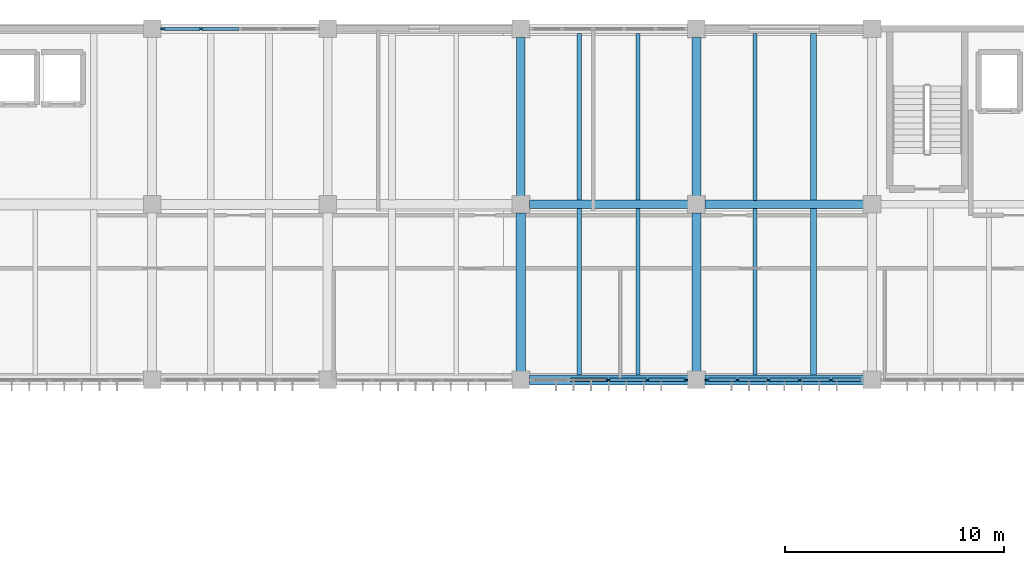
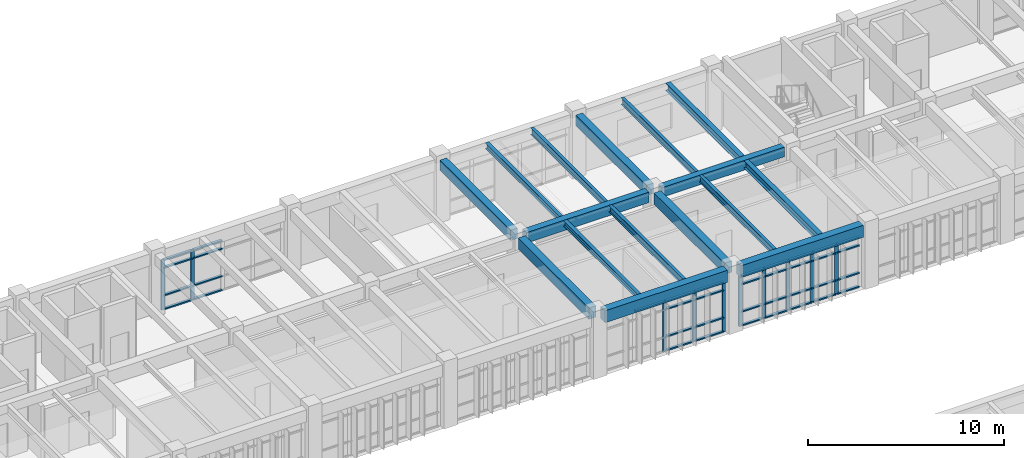
# One storey, part 19 of 67: 47 members, 16 beams, 3 elements without a shape of their own.
"""IFC4 building model written with IfcOpenShell, lengths in metres."""

from ifc_helpers import new_model, si_unit, direction, frame, origin, origin_2d, place, context, subcontext, project, spatial, rectangle, i_section, extrude, material, material_profile, profile_set, type_object, element, aggregate, save


model = new_model("IFC4")

# Units and contexts
model_context = context("Model", 3, precision=1e-05, world=origin(), true_north=direction((0.0, 1.0)))
body_context = subcontext(model_context, "Body", "Model", "MODEL_VIEW")
ifc_project = project(units=[si_unit("LENGTHUNIT", "METRE"), si_unit("AREAUNIT", "SQUARE_METRE"), si_unit("VOLUMEUNIT", "CUBIC_METRE"), si_unit("PLANEANGLEUNIT", "RADIAN"), si_unit("MASSUNIT", "GRAM", prefix="KILO")], contexts=[model_context])

# Site, building, storey
site_placement = place(None, origin())
site = spatial("IfcSite", under=ifc_project, at=site_placement, CompositionType="ELEMENT")
building_placement = place(site_placement, origin())
building = spatial("IfcBuilding", under=site, at=building_placement, Name="Tlaxcora Railside Police Headquarters", CompositionType="ELEMENT")
storey_placement = place(building_placement, frame((0.0, 0.0, 4.800048828125)))
storey = spatial("IfcBuildingStorey", under=building, at=storey_placement, Name="L01", CompositionType="ELEMENT", Elevation=4.800048828125)

# Curtain wall, members
ifc_material_1 = material(Name="Thermally broken low-E insulated glazing", Category="glass")
curtain_wall_type_1 = type_object("IfcCurtainWallType", Name="Unitised Curtain Wall Assembly CW-23", PredefinedType="NOTDEFINED", material=ifc_material_1)
curtain_wall_1_placement = place(storey_placement, origin())
curtain_wall_1 = element("IfcCurtainWall", 1, at=curtain_wall_1_placement, inside=storey, type_object=curtain_wall_type_1, Name="V5 L01 curtain wall 36", PredefinedType="NOTDEFINED")
ifc_material_2 = material(Name="Anodised aluminium framing", Category="aluminium")
ifc_material_profile_1 = material_profile(ifc_material_2, rectangle(XDim=0.080078125, YDim=0.219970703125, at=origin_2d()), Name="AL80X220")
ifc_profile_set_1 = profile_set([ifc_material_profile_1], Name="Anodised aluminium framing")
member_type_1 = type_object("IfcMemberType", Name="Curtain Wall Mullion CW-31", PredefinedType="MULLION", material=ifc_profile_set_1)
member_1_placement = place(storey_placement, frame((62.489990234375, 76.800048828125, 0.0), z_axis=(0.0, 0.0, 1.0), x_axis=(0.0, 1.0, 0.0)))
member_1 = element("IfcMember", 2, at=member_1_placement, type_object=member_type_1, Name="CW mullion 1", PredefinedType="MULLION", context=body_context, shape_type="SweptSolid", body=[
    extrude(rectangle(XDim=0.080078125, YDim=0.219970703125, at=origin_2d()), origin(), (0.0, 0.0, 1.0), 3.139892578125),
])
member_2_placement = place(storey_placement, frame((63.8701171875, 76.800048828125, 0.0), z_axis=(0.0, 0.0, 1.0), x_axis=(0.0, 1.0, 0.0)))
member_2 = element("IfcMember", 3, at=member_2_placement, type_object=member_type_1, Name="CW mullion 2", PredefinedType="MULLION", context=body_context, shape_type="SweptSolid", body=[
    extrude(rectangle(XDim=0.080078125, YDim=0.219970703125, at=origin_2d()), origin(), (0.0, 0.0, 1.0), 3.139892578125),
])
member_3_placement = place(storey_placement, frame((65.2900390625, 76.800048828125, 0.0), z_axis=(0.0, 0.0, 1.0), x_axis=(0.0, 1.0, 0.0)))
member_3 = element("IfcMember", 4, at=member_3_placement, type_object=member_type_1, Name="CW mullion 3", PredefinedType="MULLION", context=body_context, shape_type="SweptSolid", body=[
    extrude(rectangle(XDim=0.080078125, YDim=0.219970703125, at=origin_2d()), origin(), (0.0, 0.0, 1.0), 3.139892578125),
])
member_4_placement = place(storey_placement, frame((66.7099609375, 76.800048828125, 0.0), z_axis=(0.0, 0.0, 1.0), x_axis=(0.0, 1.0, 0.0)))
member_4 = element("IfcMember", 5, at=member_4_placement, type_object=member_type_1, Name="CW mullion 4", PredefinedType="MULLION", context=body_context, shape_type="SweptSolid", body=[
    extrude(rectangle(XDim=0.080078125, YDim=0.219970703125, at=origin_2d()), origin(), (0.0, 0.0, 1.0), 3.139892578125),
])
member_5_placement = place(storey_placement, frame((68.1298828125, 76.800048828125, 0.0), z_axis=(0.0, 0.0, 1.0), x_axis=(0.0, 1.0, 0.0)))
member_5 = element("IfcMember", 6, at=member_5_placement, type_object=member_type_1, Name="CW mullion 5", PredefinedType="MULLION", context=body_context, shape_type="SweptSolid", body=[
    extrude(rectangle(XDim=0.080078125, YDim=0.219970703125, at=origin_2d()), origin(), (0.0, 0.0, 1.0), 3.139892578125),
])

curtain_wall_type_2 = type_object("IfcCurtainWallType", Name="Unitised Curtain Wall Assembly CW-83", PredefinedType="NOTDEFINED", material=ifc_material_1)
curtain_wall_2_placement = place(storey_placement, origin())
curtain_wall_2 = element("IfcCurtainWall", 7, at=curtain_wall_2_placement, inside=storey, type_object=curtain_wall_type_2, Name="V5 L01 curtain wall 35", PredefinedType="NOTDEFINED")
ifc_material_profile_2 = material_profile(ifc_material_2, rectangle(XDim=0.080078125, YDim=0.2099609375, at=origin_2d()), Name="AL80X210")
ifc_profile_set_2 = profile_set([ifc_material_profile_2], Name="Anodised aluminium framing")
member_type_2 = type_object("IfcMemberType", Name="Curtain Wall Mullion CW-76", PredefinedType="MULLION", material=ifc_profile_set_2)
member_6_placement = place(storey_placement, frame((58.0, 76.800048828125, 0.0), z_axis=(0.0, 0.0, 1.0), x_axis=(0.0, 1.0, 0.0)))
member_6 = element("IfcMember", 8, at=member_6_placement, type_object=member_type_2, Name="CW mullion 3", PredefinedType="MULLION", context=body_context, shape_type="SweptSolid", body=[
    extrude(rectangle(XDim=0.080078125, YDim=0.2099609375, at=origin_2d()), origin(), (0.0, 0.0, 1.0), 3.139892578125),
])
member_7_placement = place(storey_placement, frame((59.77490234375, 76.800048828125, 0.0), z_axis=(0.0, 0.0, 1.0), x_axis=(0.0, 1.0, 0.0)))
member_7 = element("IfcMember", 9, at=member_7_placement, type_object=member_type_2, Name="CW mullion 4", PredefinedType="MULLION", context=body_context, shape_type="SweptSolid", body=[
    extrude(rectangle(XDim=0.080078125, YDim=0.2099609375, at=origin_2d()), origin(), (0.0, 0.0, 1.0), 3.139892578125),
])
member_8_placement = place(storey_placement, frame((61.510009765625, 76.800048828125, 0.0), z_axis=(0.0, 0.0, 1.0), x_axis=(0.0, 1.0, 0.0)))
member_8 = element("IfcMember", 10, at=member_8_placement, type_object=member_type_2, Name="CW mullion 5", PredefinedType="MULLION", context=body_context, shape_type="SweptSolid", body=[
    extrude(rectangle(XDim=0.080078125, YDim=0.2099609375, at=origin_2d()), origin(), (0.0, 0.0, 1.0), 3.139892578125),
])

curtain_wall_3_placement = place(storey_placement, origin())
curtain_wall_3 = element("IfcCurtainWall", 11, at=curtain_wall_3_placement, inside=storey, type_object=curtain_wall_type_2, Name="V5 L01 curtain wall 43", PredefinedType="NOTDEFINED")
member_9_placement = place(storey_placement, frame((39.425048828125, 92.800048828125, 0.0), z_axis=(0.0, 0.0, 1.0), x_axis=(0.0, -1.0, 0.0)))
member_9 = element("IfcMember", 12, at=member_9_placement, type_object=member_type_2, Name="CW mullion 4", PredefinedType="MULLION", context=body_context, shape_type="SweptSolid", body=[
    extrude(rectangle(XDim=0.080078125, YDim=0.2099609375, at=origin_2d()), origin(), (0.0, 0.0, 1.0), 3.139892578125),
])
member_10_placement = place(storey_placement, frame((37.68994140625, 92.800048828125, 0.0), z_axis=(0.0, 0.0, 1.0), x_axis=(0.0, -1.0, 0.0)))
member_10 = element("IfcMember", 13, at=member_10_placement, type_object=member_type_2, Name="CW mullion 5", PredefinedType="MULLION", context=body_context, shape_type="SweptSolid", body=[
    extrude(rectangle(XDim=0.080078125, YDim=0.2099609375, at=origin_2d()), origin(), (0.0, 0.0, 1.0), 3.139892578125),
])

# Member
ifc_material_profile_3 = material_profile(ifc_material_2, rectangle(XDim=0.1650390625, YDim=0.080078125, at=origin_2d()), Name="AL80X165")
ifc_profile_set_3 = profile_set([ifc_material_profile_3], Name="Anodised aluminium framing")
member_type_3 = type_object("IfcMemberType", Name="Curtain Wall Transom CW-62", PredefinedType="USERDEFINED", material=ifc_profile_set_3)
member_11_placement = place(storey_placement, frame((62.530029296875, 76.800048828125, 0.0400390625), z_axis=(1.0, 0.0, 0.0), x_axis=(0.0, 1.0, 0.0)))
member_11 = element("IfcMember", 14, at=member_11_placement, type_object=member_type_3, Name="CW transom 1.1", ObjectType="TRANSOM", PredefinedType="USERDEFINED", context=body_context, shape_type="SweptSolid", body=[
    extrude(rectangle(XDim=0.1650390625, YDim=0.080078125, at=origin_2d()), origin(), (0.0, 0.0, 1.0), 1.300048828125),
])

member_12_placement = place(storey_placement, frame((62.530029296875, 76.800048828125, 0.89990234375), z_axis=(1.0, 0.0, 0.0), x_axis=(0.0, 1.0, 0.0)))
member_12 = element("IfcMember", 15, at=member_12_placement, type_object=member_type_3, Name="CW transom 1.2", ObjectType="TRANSOM", PredefinedType="USERDEFINED", context=body_context, shape_type="SweptSolid", body=[
    extrude(rectangle(XDim=0.1650390625, YDim=0.080078125, at=origin_2d()), origin(), (0.0, 0.0, 1.0), 1.300048828125),
])

member_13_placement = place(storey_placement, frame((62.530029296875, 76.800048828125, 2.60986328125), z_axis=(1.0, 0.0, 0.0), x_axis=(0.0, 1.0, 0.0)))
member_13 = element("IfcMember", 16, at=member_13_placement, type_object=member_type_3, Name="CW transom 1.3", ObjectType="TRANSOM", PredefinedType="USERDEFINED", context=body_context, shape_type="SweptSolid", body=[
    extrude(rectangle(XDim=0.1650390625, YDim=0.080078125, at=origin_2d()), origin(), (0.0, 0.0, 1.0), 1.300048828125),
])

member_14_placement = place(storey_placement, frame((62.530029296875, 76.800048828125, 3.099853515625), z_axis=(1.0, 0.0, 0.0), x_axis=(0.0, 1.0, 0.0)))
member_14 = element("IfcMember", 17, at=member_14_placement, type_object=member_type_3, Name="CW transom 1.4", ObjectType="TRANSOM", PredefinedType="USERDEFINED", context=body_context, shape_type="SweptSolid", body=[
    extrude(rectangle(XDim=0.1650390625, YDim=0.080078125, at=origin_2d()), origin(), (0.0, 0.0, 1.0), 1.300048828125),
])

member_15_placement = place(storey_placement, frame((63.909912109375, 76.800048828125, 0.0400390625), z_axis=(1.0, 0.0, 0.0), x_axis=(0.0, 1.0, 0.0)))
member_15 = element("IfcMember", 18, at=member_15_placement, type_object=member_type_3, Name="CW transom 2.1", ObjectType="TRANSOM", PredefinedType="USERDEFINED", context=body_context, shape_type="SweptSolid", body=[
    extrude(rectangle(XDim=0.1650390625, YDim=0.080078125, at=origin_2d()), origin(), (0.0, 0.0, 1.0), 1.340087890625),
])

member_16_placement = place(storey_placement, frame((63.909912109375, 76.800048828125, 0.89990234375), z_axis=(1.0, 0.0, 0.0), x_axis=(0.0, 1.0, 0.0)))
member_16 = element("IfcMember", 19, at=member_16_placement, type_object=member_type_3, Name="CW transom 2.2", ObjectType="TRANSOM", PredefinedType="USERDEFINED", context=body_context, shape_type="SweptSolid", body=[
    extrude(rectangle(XDim=0.1650390625, YDim=0.080078125, at=origin_2d()), origin(), (0.0, 0.0, 1.0), 1.340087890625),
])

member_17_placement = place(storey_placement, frame((63.909912109375, 76.800048828125, 2.60986328125), z_axis=(1.0, 0.0, 0.0), x_axis=(0.0, 1.0, 0.0)))
member_17 = element("IfcMember", 20, at=member_17_placement, type_object=member_type_3, Name="CW transom 2.3", ObjectType="TRANSOM", PredefinedType="USERDEFINED", context=body_context, shape_type="SweptSolid", body=[
    extrude(rectangle(XDim=0.1650390625, YDim=0.080078125, at=origin_2d()), origin(), (0.0, 0.0, 1.0), 1.340087890625),
])

member_18_placement = place(storey_placement, frame((63.909912109375, 76.800048828125, 3.099853515625), z_axis=(1.0, 0.0, 0.0), x_axis=(0.0, 1.0, 0.0)))
member_18 = element("IfcMember", 21, at=member_18_placement, type_object=member_type_3, Name="CW transom 2.4", ObjectType="TRANSOM", PredefinedType="USERDEFINED", context=body_context, shape_type="SweptSolid", body=[
    extrude(rectangle(XDim=0.1650390625, YDim=0.080078125, at=origin_2d()), origin(), (0.0, 0.0, 1.0), 1.340087890625),
])

member_19_placement = place(storey_placement, frame((65.330078125, 76.800048828125, 0.0400390625), z_axis=(1.0, 0.0, 0.0), x_axis=(0.0, 1.0, 0.0)))
member_19 = element("IfcMember", 22, at=member_19_placement, type_object=member_type_3, Name="CW transom 3.1", ObjectType="TRANSOM", PredefinedType="USERDEFINED", context=body_context, shape_type="SweptSolid", body=[
    extrude(rectangle(XDim=0.1650390625, YDim=0.080078125, at=origin_2d()), origin(), (0.0, 0.0, 1.0), 1.33984375),
])

member_20_placement = place(storey_placement, frame((65.330078125, 76.800048828125, 0.89990234375), z_axis=(1.0, 0.0, 0.0), x_axis=(0.0, 1.0, 0.0)))
member_20 = element("IfcMember", 23, at=member_20_placement, type_object=member_type_3, Name="CW transom 3.2", ObjectType="TRANSOM", PredefinedType="USERDEFINED", context=body_context, shape_type="SweptSolid", body=[
    extrude(rectangle(XDim=0.1650390625, YDim=0.080078125, at=origin_2d()), origin(), (0.0, 0.0, 1.0), 1.33984375),
])

member_21_placement = place(storey_placement, frame((65.330078125, 76.800048828125, 2.60986328125), z_axis=(1.0, 0.0, 0.0), x_axis=(0.0, 1.0, 0.0)))
member_21 = element("IfcMember", 24, at=member_21_placement, type_object=member_type_3, Name="CW transom 3.3", ObjectType="TRANSOM", PredefinedType="USERDEFINED", context=body_context, shape_type="SweptSolid", body=[
    extrude(rectangle(XDim=0.1650390625, YDim=0.080078125, at=origin_2d()), origin(), (0.0, 0.0, 1.0), 1.33984375),
])

member_22_placement = place(storey_placement, frame((65.330078125, 76.800048828125, 3.099853515625), z_axis=(1.0, 0.0, 0.0), x_axis=(0.0, 1.0, 0.0)))
member_22 = element("IfcMember", 25, at=member_22_placement, type_object=member_type_3, Name="CW transom 3.4", ObjectType="TRANSOM", PredefinedType="USERDEFINED", context=body_context, shape_type="SweptSolid", body=[
    extrude(rectangle(XDim=0.1650390625, YDim=0.080078125, at=origin_2d()), origin(), (0.0, 0.0, 1.0), 1.33984375),
])

member_23_placement = place(storey_placement, frame((66.75, 76.800048828125, 0.0400390625), z_axis=(1.0, 0.0, 0.0), x_axis=(0.0, 1.0, 0.0)))
member_23 = element("IfcMember", 26, at=member_23_placement, type_object=member_type_3, Name="CW transom 4.1", ObjectType="TRANSOM", PredefinedType="USERDEFINED", context=body_context, shape_type="SweptSolid", body=[
    extrude(rectangle(XDim=0.1650390625, YDim=0.080078125, at=origin_2d()), origin(), (0.0, 0.0, 1.0), 1.340087890625),
])

member_24_placement = place(storey_placement, frame((66.75, 76.800048828125, 0.89990234375), z_axis=(1.0, 0.0, 0.0), x_axis=(0.0, 1.0, 0.0)))
member_24 = element("IfcMember", 27, at=member_24_placement, type_object=member_type_3, Name="CW transom 4.2", ObjectType="TRANSOM", PredefinedType="USERDEFINED", context=body_context, shape_type="SweptSolid", body=[
    extrude(rectangle(XDim=0.1650390625, YDim=0.080078125, at=origin_2d()), origin(), (0.0, 0.0, 1.0), 1.340087890625),
])

member_25_placement = place(storey_placement, frame((66.75, 76.800048828125, 2.60986328125), z_axis=(1.0, 0.0, 0.0), x_axis=(0.0, 1.0, 0.0)))
member_25 = element("IfcMember", 28, at=member_25_placement, type_object=member_type_3, Name="CW transom 4.3", ObjectType="TRANSOM", PredefinedType="USERDEFINED", context=body_context, shape_type="SweptSolid", body=[
    extrude(rectangle(XDim=0.1650390625, YDim=0.080078125, at=origin_2d()), origin(), (0.0, 0.0, 1.0), 1.340087890625),
])

member_26_placement = place(storey_placement, frame((66.75, 76.800048828125, 3.099853515625), z_axis=(1.0, 0.0, 0.0), x_axis=(0.0, 1.0, 0.0)))
member_26 = element("IfcMember", 29, at=member_26_placement, type_object=member_type_3, Name="CW transom 4.4", ObjectType="TRANSOM", PredefinedType="USERDEFINED", context=body_context, shape_type="SweptSolid", body=[
    extrude(rectangle(XDim=0.1650390625, YDim=0.080078125, at=origin_2d()), origin(), (0.0, 0.0, 1.0), 1.340087890625),
])

member_27_placement = place(storey_placement, frame((68.169921875, 76.800048828125, 0.0400390625), z_axis=(1.0, 0.0, 0.0), x_axis=(0.0, 1.0, 0.0)))
member_27 = element("IfcMember", 30, at=member_27_placement, type_object=member_type_3, Name="CW transom 5.1", ObjectType="TRANSOM", PredefinedType="USERDEFINED", context=body_context, shape_type="SweptSolid", body=[
    extrude(rectangle(XDim=0.1650390625, YDim=0.080078125, at=origin_2d()), origin(), (0.0, 0.0, 1.0), 1.300048828125),
])

member_28_placement = place(storey_placement, frame((68.169921875, 76.800048828125, 0.89990234375), z_axis=(1.0, 0.0, 0.0), x_axis=(0.0, 1.0, 0.0)))
member_28 = element("IfcMember", 31, at=member_28_placement, type_object=member_type_3, Name="CW transom 5.2", ObjectType="TRANSOM", PredefinedType="USERDEFINED", context=body_context, shape_type="SweptSolid", body=[
    extrude(rectangle(XDim=0.1650390625, YDim=0.080078125, at=origin_2d()), origin(), (0.0, 0.0, 1.0), 1.300048828125),
])

member_29_placement = place(storey_placement, frame((68.169921875, 76.800048828125, 2.60986328125), z_axis=(1.0, 0.0, 0.0), x_axis=(0.0, 1.0, 0.0)))
member_29 = element("IfcMember", 32, at=member_29_placement, type_object=member_type_3, Name="CW transom 5.3", ObjectType="TRANSOM", PredefinedType="USERDEFINED", context=body_context, shape_type="SweptSolid", body=[
    extrude(rectangle(XDim=0.1650390625, YDim=0.080078125, at=origin_2d()), origin(), (0.0, 0.0, 1.0), 1.300048828125),
])

member_30_placement = place(storey_placement, frame((68.169921875, 76.800048828125, 3.099853515625), z_axis=(1.0, 0.0, 0.0), x_axis=(0.0, 1.0, 0.0)))
member_30 = element("IfcMember", 33, at=member_30_placement, type_object=member_type_3, Name="CW transom 5.4", ObjectType="TRANSOM", PredefinedType="USERDEFINED", context=body_context, shape_type="SweptSolid", body=[
    extrude(rectangle(XDim=0.1650390625, YDim=0.080078125, at=origin_2d()), origin(), (0.0, 0.0, 1.0), 1.300048828125),
])

aggregate(curtain_wall_1, [member_1, member_2, member_3, member_4, member_5, member_11, member_12, member_13, member_14, member_15, member_16, member_17, member_18, member_19, member_20, member_21, member_22, member_23, member_24, member_25, member_26, member_27, member_28, member_29, member_30])

ifc_material_profile_4 = material_profile(ifc_material_2, rectangle(XDim=0.159912109375, YDim=0.080078125, at=origin_2d()), Name="AL80X160")
ifc_profile_set_4 = profile_set([ifc_material_profile_4], Name="Anodised aluminium framing")
member_type_4 = type_object("IfcMemberType", Name="Curtain Wall Transom CW-82", PredefinedType="USERDEFINED", material=ifc_profile_set_4)
member_31_placement = place(storey_placement, frame((56.264892578125, 76.800048828125, 3.099853515625), z_axis=(1.0, 0.0, 0.0), x_axis=(0.0, 1.0, 0.0)))
member_31 = element("IfcMember", 34, at=member_31_placement, type_object=member_type_4, Name="CW transom 2.4", ObjectType="TRANSOM", PredefinedType="USERDEFINED", context=body_context, shape_type="SweptSolid", body=[
    extrude(rectangle(XDim=0.159912109375, YDim=0.080078125, at=origin_2d()), origin(), (0.0, 0.0, 1.0), 1.695068359375),
])

member_32_placement = place(storey_placement, frame((58.0400390625, 76.800048828125, 0.0400390625), z_axis=(1.0, 0.0, 0.0), x_axis=(0.0, 1.0, 0.0)))
member_32 = element("IfcMember", 35, at=member_32_placement, type_object=member_type_4, Name="CW transom 3.1", ObjectType="TRANSOM", PredefinedType="USERDEFINED", context=body_context, shape_type="SweptSolid", body=[
    extrude(rectangle(XDim=0.159912109375, YDim=0.080078125, at=origin_2d()), origin(), (0.0, 0.0, 1.0), 1.695068359375),
])

member_33_placement = place(storey_placement, frame((58.0400390625, 76.800048828125, 0.89990234375), z_axis=(1.0, 0.0, 0.0), x_axis=(0.0, 1.0, 0.0)))
member_33 = element("IfcMember", 36, at=member_33_placement, type_object=member_type_4, Name="CW transom 3.2", ObjectType="TRANSOM", PredefinedType="USERDEFINED", context=body_context, shape_type="SweptSolid", body=[
    extrude(rectangle(XDim=0.159912109375, YDim=0.080078125, at=origin_2d()), origin(), (0.0, 0.0, 1.0), 1.695068359375),
])

member_34_placement = place(storey_placement, frame((58.0400390625, 76.800048828125, 2.60986328125), z_axis=(1.0, 0.0, 0.0), x_axis=(0.0, 1.0, 0.0)))
member_34 = element("IfcMember", 37, at=member_34_placement, type_object=member_type_4, Name="CW transom 3.3", ObjectType="TRANSOM", PredefinedType="USERDEFINED", context=body_context, shape_type="SweptSolid", body=[
    extrude(rectangle(XDim=0.159912109375, YDim=0.080078125, at=origin_2d()), origin(), (0.0, 0.0, 1.0), 1.695068359375),
])

member_35_placement = place(storey_placement, frame((58.0400390625, 76.800048828125, 3.099853515625), z_axis=(1.0, 0.0, 0.0), x_axis=(0.0, 1.0, 0.0)))
member_35 = element("IfcMember", 38, at=member_35_placement, type_object=member_type_4, Name="CW transom 3.4", ObjectType="TRANSOM", PredefinedType="USERDEFINED", context=body_context, shape_type="SweptSolid", body=[
    extrude(rectangle(XDim=0.159912109375, YDim=0.080078125, at=origin_2d()), origin(), (0.0, 0.0, 1.0), 1.695068359375),
])

member_36_placement = place(storey_placement, frame((59.81494140625, 76.800048828125, 0.0400390625), z_axis=(1.0, 0.0, 0.0), x_axis=(0.0, 1.0, 0.0)))
member_36 = element("IfcMember", 39, at=member_36_placement, type_object=member_type_4, Name="CW transom 4.1", ObjectType="TRANSOM", PredefinedType="USERDEFINED", context=body_context, shape_type="SweptSolid", body=[
    extrude(rectangle(XDim=0.159912109375, YDim=0.080078125, at=origin_2d()), origin(), (0.0, 0.0, 1.0), 1.655029296875),
])

member_37_placement = place(storey_placement, frame((59.81494140625, 76.800048828125, 0.89990234375), z_axis=(1.0, 0.0, 0.0), x_axis=(0.0, 1.0, 0.0)))
member_37 = element("IfcMember", 40, at=member_37_placement, type_object=member_type_4, Name="CW transom 4.2", ObjectType="TRANSOM", PredefinedType="USERDEFINED", context=body_context, shape_type="SweptSolid", body=[
    extrude(rectangle(XDim=0.159912109375, YDim=0.080078125, at=origin_2d()), origin(), (0.0, 0.0, 1.0), 1.655029296875),
])

member_38_placement = place(storey_placement, frame((59.81494140625, 76.800048828125, 2.60986328125), z_axis=(1.0, 0.0, 0.0), x_axis=(0.0, 1.0, 0.0)))
member_38 = element("IfcMember", 41, at=member_38_placement, type_object=member_type_4, Name="CW transom 4.3", ObjectType="TRANSOM", PredefinedType="USERDEFINED", context=body_context, shape_type="SweptSolid", body=[
    extrude(rectangle(XDim=0.159912109375, YDim=0.080078125, at=origin_2d()), origin(), (0.0, 0.0, 1.0), 1.655029296875),
])

member_39_placement = place(storey_placement, frame((59.81494140625, 76.800048828125, 3.099853515625), z_axis=(1.0, 0.0, 0.0), x_axis=(0.0, 1.0, 0.0)))
member_39 = element("IfcMember", 42, at=member_39_placement, type_object=member_type_4, Name="CW transom 4.4", ObjectType="TRANSOM", PredefinedType="USERDEFINED", context=body_context, shape_type="SweptSolid", body=[
    extrude(rectangle(XDim=0.159912109375, YDim=0.080078125, at=origin_2d()), origin(), (0.0, 0.0, 1.0), 1.655029296875),
])

aggregate(curtain_wall_2, [member_6, member_7, member_8, member_31, member_32, member_33, member_34, member_35, member_36, member_37, member_38, member_39])

member_40_placement = place(storey_placement, frame((41.159912109375, 92.800048828125, 0.0400390625), z_axis=(-1.0, 0.0, 0.0), x_axis=(0.0, -1.0, 0.0)))
member_40 = element("IfcMember", 43, at=member_40_placement, type_object=member_type_4, Name="CW transom 3.1", ObjectType="TRANSOM", PredefinedType="USERDEFINED", context=body_context, shape_type="SweptSolid", body=[
    extrude(rectangle(XDim=0.159912109375, YDim=0.080078125, at=origin_2d()), origin(), (0.0, 0.0, 1.0), 1.69482421875),
])

member_41_placement = place(storey_placement, frame((41.159912109375, 92.800048828125, 0.89990234375), z_axis=(-1.0, 0.0, 0.0), x_axis=(0.0, -1.0, 0.0)))
member_41 = element("IfcMember", 44, at=member_41_placement, type_object=member_type_4, Name="CW transom 3.2", ObjectType="TRANSOM", PredefinedType="USERDEFINED", context=body_context, shape_type="SweptSolid", body=[
    extrude(rectangle(XDim=0.159912109375, YDim=0.080078125, at=origin_2d()), origin(), (0.0, 0.0, 1.0), 1.69482421875),
])

member_42_placement = place(storey_placement, frame((41.159912109375, 92.800048828125, 2.60986328125), z_axis=(-1.0, 0.0, 0.0), x_axis=(0.0, -1.0, 0.0)))
member_42 = element("IfcMember", 45, at=member_42_placement, type_object=member_type_4, Name="CW transom 3.3", ObjectType="TRANSOM", PredefinedType="USERDEFINED", context=body_context, shape_type="SweptSolid", body=[
    extrude(rectangle(XDim=0.159912109375, YDim=0.080078125, at=origin_2d()), origin(), (0.0, 0.0, 1.0), 1.69482421875),
])

member_43_placement = place(storey_placement, frame((41.159912109375, 92.800048828125, 3.099853515625), z_axis=(-1.0, 0.0, 0.0), x_axis=(0.0, -1.0, 0.0)))
member_43 = element("IfcMember", 46, at=member_43_placement, type_object=member_type_4, Name="CW transom 3.4", ObjectType="TRANSOM", PredefinedType="USERDEFINED", context=body_context, shape_type="SweptSolid", body=[
    extrude(rectangle(XDim=0.159912109375, YDim=0.080078125, at=origin_2d()), origin(), (0.0, 0.0, 1.0), 1.69482421875),
])

member_44_placement = place(storey_placement, frame((39.385009765625, 92.800048828125, 0.0400390625), z_axis=(-1.0, 0.0, 0.0), x_axis=(0.0, -1.0, 0.0)))
member_44 = element("IfcMember", 47, at=member_44_placement, type_object=member_type_4, Name="CW transom 4.1", ObjectType="TRANSOM", PredefinedType="USERDEFINED", context=body_context, shape_type="SweptSolid", body=[
    extrude(rectangle(XDim=0.159912109375, YDim=0.080078125, at=origin_2d()), origin(), (0.0, 0.0, 1.0), 1.655029296875),
])

member_45_placement = place(storey_placement, frame((39.385009765625, 92.800048828125, 0.89990234375), z_axis=(-1.0, 0.0, 0.0), x_axis=(0.0, -1.0, 0.0)))
member_45 = element("IfcMember", 48, at=member_45_placement, type_object=member_type_4, Name="CW transom 4.2", ObjectType="TRANSOM", PredefinedType="USERDEFINED", context=body_context, shape_type="SweptSolid", body=[
    extrude(rectangle(XDim=0.159912109375, YDim=0.080078125, at=origin_2d()), origin(), (0.0, 0.0, 1.0), 1.655029296875),
])

member_46_placement = place(storey_placement, frame((39.385009765625, 92.800048828125, 2.60986328125), z_axis=(-1.0, 0.0, 0.0), x_axis=(0.0, -1.0, 0.0)))
member_46 = element("IfcMember", 49, at=member_46_placement, type_object=member_type_4, Name="CW transom 4.3", ObjectType="TRANSOM", PredefinedType="USERDEFINED", context=body_context, shape_type="SweptSolid", body=[
    extrude(rectangle(XDim=0.159912109375, YDim=0.080078125, at=origin_2d()), origin(), (0.0, 0.0, 1.0), 1.655029296875),
])

member_47_placement = place(storey_placement, frame((39.385009765625, 92.800048828125, 3.099853515625), z_axis=(-1.0, 0.0, 0.0), x_axis=(0.0, -1.0, 0.0)))
member_47 = element("IfcMember", 50, at=member_47_placement, type_object=member_type_4, Name="CW transom 4.4", ObjectType="TRANSOM", PredefinedType="USERDEFINED", context=body_context, shape_type="SweptSolid", body=[
    extrude(rectangle(XDim=0.159912109375, YDim=0.080078125, at=origin_2d()), origin(), (0.0, 0.0, 1.0), 1.655029296875),
])

aggregate(curtain_wall_3, [member_9, member_10, member_40, member_41, member_42, member_43, member_44, member_45, member_46, member_47])

# Beams
ifc_material_3 = material(Name="Concrete C40/50", Category="concrete")
ifc_material_profile_5 = material_profile(ifc_material_3, rectangle(XDim=0.449951171875, YDim=0.75, at=origin_2d()), Name="RC450X750")
ifc_profile_set_5 = profile_set([ifc_material_profile_5], Name="Concrete C40/50")
beam_type_1 = type_object("IfcBeamType", Name="Perimeter Spandrel Beam BM-86", PredefinedType="SPANDREL", material=ifc_profile_set_5)
for number, where, z_axis, x_axis, name in (
    (51, (54.389892578125, 76.800048828125, 3.534912109375), (1.0, 0.0, 0.0), (0.0, 1.0, 0.0), "V5 L01 X-girder Y=76.8"),
    (52, (62.389892578125, 76.800048828125, 3.534912109375), (1.0, 0.0, 0.0), (0.0, 1.0, 0.0), "V5 L01 X-girder Y=76.8"),
):
    element("IfcBeam", number, at=place(storey_placement, frame(where, z_axis=z_axis, x_axis=x_axis)), inside=storey, type_object=beam_type_1, Name=name, PredefinedType="SPANDREL", context=body_context, shape_type="SweptSolid", body=[
        extrude(rectangle(XDim=0.449951171875, YDim=0.75, at=origin_2d()), origin(), (0.0, 0.0, 1.0), 7.22021484375),
    ])
ifc_material_profile_6 = material_profile(ifc_material_3, rectangle(XDim=0.3798828125, YDim=0.60009765625, at=origin_2d()), Name="RC380X600")
ifc_profile_set_6 = profile_set([ifc_material_profile_6], Name="Concrete C40/50")
beam_type_2 = type_object("IfcBeamType", Name="Primary Frame Girder BM-22", PredefinedType="BEAM", material=ifc_profile_set_6)
beam_1_placement = place(storey_placement, frame((62.389892578125, 84.800048828125, 3.60986328125), z_axis=(1.0, 0.0, 0.0), x_axis=(0.0, 1.0, 0.0)))
element("IfcBeam", 53, at=beam_1_placement, inside=storey, type_object=beam_type_2, Name="V5 L01 X-girder Y=84.8", PredefinedType="BEAM", context=body_context, shape_type="SweptSolid", body=[
    extrude(rectangle(XDim=0.3798828125, YDim=0.60009765625, at=origin_2d()), origin(), (0.0, 0.0, 1.0), 7.22021484375),
])
ifc_material_profile_7 = material_profile(ifc_material_3, rectangle(XDim=0.419921875, YDim=0.699951171875, at=origin_2d()), Name="RC420X700")
ifc_profile_set_7 = profile_set([ifc_material_profile_7], Name="Concrete C40/50")
beam_type_3 = type_object("IfcBeamType", Name="Primary Frame Girder BM-35", PredefinedType="BEAM", material=ifc_profile_set_7)
for number, where, z_axis, x_axis, name in (
    (54, (54.0, 77.18994140625, 3.56005859375), (0.0, 1.0, 0.0), (-1.0, 0.0, 0.0), "V5 L01 Y-girder X=54.0"),
    (55, (62.0, 77.18994140625, 3.56005859375), (0.0, 1.0, 0.0), (-1.0, 0.0, 0.0), "V5 L01 Y-girder X=62.0"),
):
    element("IfcBeam", number, at=place(storey_placement, frame(where, z_axis=z_axis, x_axis=x_axis)), inside=storey, type_object=beam_type_3, Name=name, PredefinedType="BEAM", context=body_context, shape_type="SweptSolid", body=[
        extrude(rectangle(XDim=0.419921875, YDim=0.699951171875, at=origin_2d()), origin(), (0.0, 0.0, 1.0), 7.219970703125),
    ])
ifc_material_profile_8 = material_profile(ifc_material_3, rectangle(XDim=0.39990234375, YDim=0.64990234375, at=origin_2d()), Name="RC400X650")
ifc_profile_set_8 = profile_set([ifc_material_profile_8], Name="Concrete C40/50")
beam_type_4 = type_object("IfcBeamType", Name="Primary Frame Girder BM-41", PredefinedType="BEAM", material=ifc_profile_set_8)
beam_2_placement = place(storey_placement, frame((54.389892578125, 84.800048828125, 3.5849609375), z_axis=(1.0, 0.0, 0.0), x_axis=(0.0, 1.0, 0.0)))
element("IfcBeam", 56, at=beam_2_placement, inside=storey, type_object=beam_type_4, Name="V5 L01 X-girder Y=84.8", PredefinedType="BEAM", context=body_context, shape_type="SweptSolid", body=[
    extrude(rectangle(XDim=0.39990234375, YDim=0.64990234375, at=origin_2d()), origin(), (0.0, 0.0, 1.0), 7.22021484375),
])
for number, where, z_axis, x_axis, name in (
    (57, (54.0, 85.18994140625, 3.5849609375), (0.0, 1.0, 0.0), (-1.0, 0.0, 0.0), "V5 L01 Y-girder X=54.0"),
    (58, (62.0, 85.18994140625, 3.5849609375), (0.0, 1.0, 0.0), (-1.0, 0.0, 0.0), "V5 L01 Y-girder X=62.0"),
):
    element("IfcBeam", number, at=place(storey_placement, frame(where, z_axis=z_axis, x_axis=x_axis)), inside=storey, type_object=beam_type_4, Name=name, PredefinedType="BEAM", context=body_context, shape_type="SweptSolid", body=[
        extrude(rectangle(XDim=0.39990234375, YDim=0.64990234375, at=origin_2d()), origin(), (0.0, 0.0, 1.0), 7.219970703125),
    ])
ifc_material_4 = material(Name="Steel ASTM A992 Grade 50", Category="steel")
ifc_material_profile_9 = material_profile(ifc_material_4, i_section(OverallWidth=0.280029296875, OverallDepth=0.4619140625, WebThickness=0.0107421875, FlangeThickness=0.017333984375, at=origin_2d()), Name="W18X76")
ifc_profile_set_9 = profile_set([ifc_material_profile_9], Name="Steel ASTM A992 Grade 50")
beam_type_5 = type_object("IfcBeamType", Name="Secondary Floor Joist BM-44", PredefinedType="JOIST", material=ifc_profile_set_9)
beam_3_placement = place(storey_placement, frame((67.333251953125, 77.01708984375, 3.678955078125), z_axis=(0.0, 1.0, 0.0), x_axis=(-1.0, 0.0, 0.0)))
element("IfcBeam", 59, at=beam_3_placement, inside=storey, type_object=beam_type_5, Name="V5 L01 floor joist X=67.33", PredefinedType="JOIST", context=body_context, shape_type="SweptSolid", body=[
    extrude(i_section(OverallWidth=0.280029296875, OverallDepth=0.4619140625, WebThickness=0.0107421875, FlangeThickness=0.017333984375, at=origin_2d()), origin(), (0.0, 0.0, 1.0), 7.600830078125),
])
beam_4_placement = place(storey_placement, frame((67.333251953125, 84.98193359375, 3.678955078125), z_axis=(0.0, 1.0, 0.0), x_axis=(-1.0, 0.0, 0.0)))
element("IfcBeam", 60, at=beam_4_placement, inside=storey, type_object=beam_type_5, Name="V5 L01 floor joist X=67.33", PredefinedType="JOIST", context=body_context, shape_type="SweptSolid", body=[
    extrude(i_section(OverallWidth=0.280029296875, OverallDepth=0.4619140625, WebThickness=0.0107421875, FlangeThickness=0.017333984375, at=origin_2d()), origin(), (0.0, 0.0, 1.0), 7.60107421875),
])
ifc_material_profile_10 = material_profile(ifc_material_4, i_section(OverallWidth=0.2041015625, OverallDepth=0.35009765625, WebThickness=0.008544921875, FlangeThickness=0.01513671875, at=origin_2d()), Name="W14X48")
ifc_profile_set_10 = profile_set([ifc_material_profile_10], Name="Steel ASTM A992 Grade 50")
beam_type_6 = type_object("IfcBeamType", Name="Secondary Floor Joist BM-65", PredefinedType="JOIST", material=ifc_profile_set_10)
beam_5_placement = place(storey_placement, frame((56.666748046875, 77.01708984375, 3.73486328125), z_axis=(0.0, 1.0, 0.0), x_axis=(-1.0, 0.0, 0.0)))
element("IfcBeam", 61, at=beam_5_placement, inside=storey, type_object=beam_type_6, Name="V5 L01 floor joist X=56.67", PredefinedType="JOIST", context=body_context, shape_type="SweptSolid", body=[
    extrude(i_section(OverallWidth=0.2041015625, OverallDepth=0.35009765625, WebThickness=0.008544921875, FlangeThickness=0.01513671875, at=origin_2d()), origin(), (0.0, 0.0, 1.0), 7.5908203125),
])
beam_6_placement = place(storey_placement, frame((56.666748046875, 84.991943359375, 3.73486328125), z_axis=(0.0, 1.0, 0.0), x_axis=(-1.0, 0.0, 0.0)))
element("IfcBeam", 62, at=beam_6_placement, inside=storey, type_object=beam_type_6, Name="V5 L01 floor joist X=56.67", PredefinedType="JOIST", context=body_context, shape_type="SweptSolid", body=[
    extrude(i_section(OverallWidth=0.2041015625, OverallDepth=0.35009765625, WebThickness=0.008544921875, FlangeThickness=0.01513671875, at=origin_2d()), origin(), (0.0, 0.0, 1.0), 7.591064453125),
])
ifc_material_profile_11 = material_profile(ifc_material_4, i_section(OverallWidth=0.180908203125, OverallDepth=0.4169921875, WebThickness=0.010009765625, FlangeThickness=0.018310546875, at=origin_2d()), Name="W16X57")
ifc_profile_set_11 = profile_set([ifc_material_profile_11], Name="Steel ASTM A992 Grade 50")
beam_type_7 = type_object("IfcBeamType", Name="Secondary Floor Joist BM-84", PredefinedType="JOIST", material=ifc_profile_set_11)
beam_7_placement = place(storey_placement, frame((59.333251953125, 77.01708984375, 3.701416015625), z_axis=(0.0, 1.0, 0.0), x_axis=(-1.0, 0.0, 0.0)))
element("IfcBeam", 63, at=beam_7_placement, inside=storey, type_object=beam_type_7, Name="V5 L01 floor joist X=59.33", PredefinedType="JOIST", context=body_context, shape_type="SweptSolid", body=[
    extrude(i_section(OverallWidth=0.180908203125, OverallDepth=0.4169921875, WebThickness=0.010009765625, FlangeThickness=0.018310546875, at=origin_2d()), origin(), (0.0, 0.0, 1.0), 7.5908203125),
])
beam_8_placement = place(storey_placement, frame((64.666748046875, 77.01708984375, 3.701416015625), z_axis=(0.0, 1.0, 0.0), x_axis=(-1.0, 0.0, 0.0)))
element("IfcBeam", 64, at=beam_8_placement, inside=storey, type_object=beam_type_7, Name="V5 L01 floor joist X=64.67", PredefinedType="JOIST", context=body_context, shape_type="SweptSolid", body=[
    extrude(i_section(OverallWidth=0.180908203125, OverallDepth=0.4169921875, WebThickness=0.010009765625, FlangeThickness=0.018310546875, at=origin_2d()), origin(), (0.0, 0.0, 1.0), 7.600830078125),
])
beam_9_placement = place(storey_placement, frame((59.333251953125, 84.991943359375, 3.701416015625), z_axis=(0.0, 1.0, 0.0), x_axis=(-1.0, 0.0, 0.0)))
element("IfcBeam", 65, at=beam_9_placement, inside=storey, type_object=beam_type_7, Name="V5 L01 floor joist X=59.33", PredefinedType="JOIST", context=body_context, shape_type="SweptSolid", body=[
    extrude(i_section(OverallWidth=0.180908203125, OverallDepth=0.4169921875, WebThickness=0.010009765625, FlangeThickness=0.018310546875, at=origin_2d()), origin(), (0.0, 0.0, 1.0), 7.591064453125),
])
beam_10_placement = place(storey_placement, frame((64.666748046875, 84.98193359375, 3.701416015625), z_axis=(0.0, 1.0, 0.0), x_axis=(-1.0, 0.0, 0.0)))
element("IfcBeam", 66, at=beam_10_placement, inside=storey, type_object=beam_type_7, Name="V5 L01 floor joist X=64.67", PredefinedType="JOIST", context=body_context, shape_type="SweptSolid", body=[
    extrude(i_section(OverallWidth=0.180908203125, OverallDepth=0.4169921875, WebThickness=0.010009765625, FlangeThickness=0.018310546875, at=origin_2d()), origin(), (0.0, 0.0, 1.0), 7.60107421875),
])

save(model, "model.ifc")
